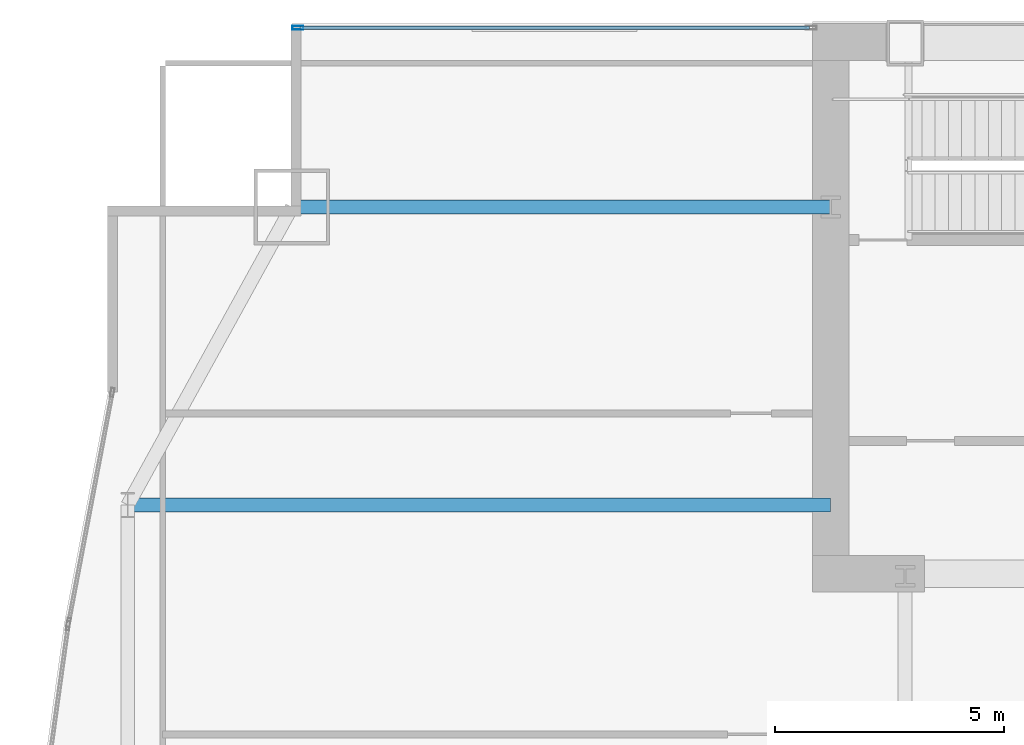
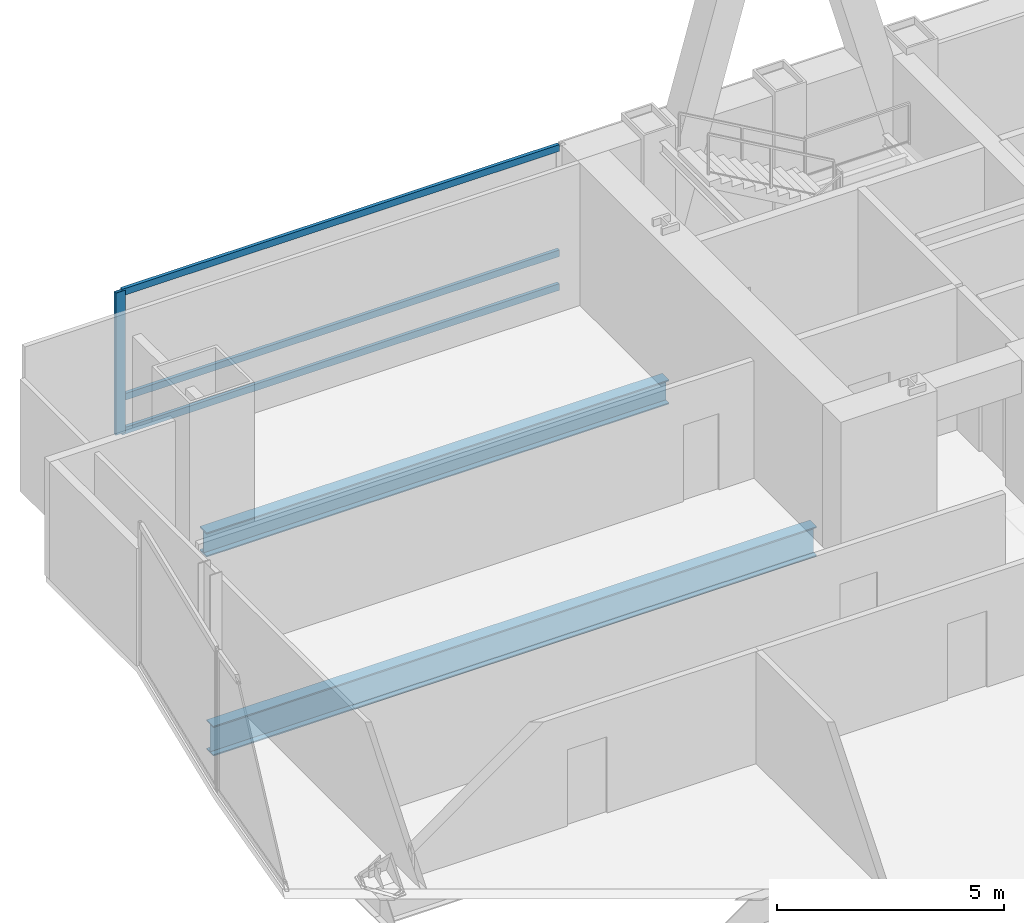
# One storey, part 17 of 37: 4 members, 2 beams, 1 element without a shape of its own.
"""IFC4 building model written with IfcOpenShell, lengths in metres."""

from ifc_helpers import new_model, si_unit, direction, frame, origin, origin_2d, place, context, subcontext, project, spatial, hollow_rectangle, i_section, extrude, material, material_profile, profile_set, type_object, element, aggregate, save


model = new_model("IFC4")

# Units and contexts
model_context = context("Model", 3, precision=1e-05, world=origin(), true_north=direction((0.0, 1.0)))
body_context = subcontext(model_context, "Body", "Model", "MODEL_VIEW")
ifc_project = project(units=[si_unit("LENGTHUNIT", "METRE"), si_unit("AREAUNIT", "SQUARE_METRE"), si_unit("VOLUMEUNIT", "CUBIC_METRE"), si_unit("PLANEANGLEUNIT", "RADIAN"), si_unit("MASSUNIT", "GRAM", prefix="KILO")], contexts=[model_context])

# Site, building, storey
site_placement = place(None, origin())
site = spatial("IfcSite", under=ifc_project, at=site_placement, CompositionType="ELEMENT")
building_placement = place(site_placement, origin())
building = spatial("IfcBuilding", under=site, at=building_placement, Name="Khoronbel Lancet Exchange", CompositionType="ELEMENT")
storey_placement = place(building_placement, frame((0.0, 0.0, 61.800048828125)))
storey = spatial("IfcBuildingStorey", under=building, at=storey_placement, Name="L14", CompositionType="ELEMENT", Elevation=61.800048828125)

# Beams
ifc_material_1 = material(Name="Steel S355", Category="steel")
ifc_material_profile_1 = material_profile(ifc_material_1, i_section(OverallWidth=0.300048828125, OverallDepth=0.800048828125, WebThickness=0.017578125, FlangeThickness=0.032958984375, at=origin_2d()), Name="HEB 800")
ifc_profile_set_1 = profile_set([ifc_material_profile_1], Name="Steel S355")
beam_type_1 = type_object("IfcBeamType", Name="BM-BG2", PredefinedType="BEAM", material=ifc_profile_set_1)
beam_1_placement = place(storey_placement, frame((1.27001953125, 43.199951171875, -0.580078125), z_axis=(1.0, 0.0, 0.0), x_axis=(0.0, 1.0, 0.0)))
element("IfcBeam", 1, at=beam_1_placement, inside=storey, type_object=beam_type_1, Name="Level L14 west lens tie girder LG3W", PredefinedType="BEAM", context=body_context, shape_type="SweptSolid", body=[
    extrude(i_section(OverallWidth=0.300048828125, OverallDepth=0.800048828125, WebThickness=0.017578125, FlangeThickness=0.032958984375, at=origin_2d()), origin(), (0.0, 0.0, 1.0), 15.330078125),
])
ifc_material_profile_2 = material_profile(ifc_material_1, i_section(OverallWidth=0.300048828125, OverallDepth=0.64990234375, WebThickness=0.01611328125, FlangeThickness=0.031005859375, at=origin_2d()), Name="HEB 650")
ifc_profile_set_2 = profile_set([ifc_material_profile_2], Name="Steel S355")
beam_type_2 = type_object("IfcBeamType", Name="BM-BSP1", PredefinedType="SPANDREL", material=ifc_profile_set_2)
beam_2_placement = place(storey_placement, frame((4.85009765625, 49.699951171875, -0.505126953125), z_axis=(1.0, 0.0, 0.0), x_axis=(0.0, 1.0, 0.0)))
element("IfcBeam", 2, at=beam_2_placement, inside=storey, type_object=beam_type_2, Name="Level L14 north flank tie spandrel SP22", PredefinedType="SPANDREL", context=body_context, shape_type="SweptSolid", body=[
    extrude(i_section(OverallWidth=0.300048828125, OverallDepth=0.64990234375, WebThickness=0.01611328125, FlangeThickness=0.031005859375, at=origin_2d()), origin(), (0.0, 0.0, 1.0), 11.75),
])

# Curtain wall, members
ifc_material_2 = material(Name="Low-E Solar Control Insulating Glass", Category="glass")
curtain_wall_type = type_object("IfcCurtainWallType", Name="CW-1", PredefinedType="NOTDEFINED", material=ifc_material_2)
curtain_wall_placement = place(storey_placement, origin())
curtain_wall = element("IfcCurtainWall", 3, at=curtain_wall_placement, inside=storey, type_object=curtain_wall_type, Name="Unitised curtain wall CW-L14-NWFLK", PredefinedType="NOTDEFINED")
ifc_material_3 = material(Name="Bronze-Anodised Aluminium 6063-T6", Category="aluminium")
ifc_material_profile_3 = material_profile(ifc_material_3, hollow_rectangle(XDim=0.0849609375, YDim=0.239990234375, WallThickness=0.006103515625, at=origin_2d()), Name="ALU MULLION 85x240")
ifc_profile_set_3 = profile_set([ifc_material_profile_3], Name="Bronze-Anodised Aluminium 6063-T6")
member_type_1 = type_object("IfcMemberType", Name="MEM-CWM1", PredefinedType="MULLION", material=ifc_profile_set_3)
member_1_placement = place(storey_placement, frame((4.982421875, 53.610107421875, 0.0), z_axis=(0.0, 0.0, 1.0), x_axis=(0.0, -1.0, 0.0)))
member_1 = element("IfcMember", 4, at=member_1_placement, type_object=member_type_1, Name="CW1 mullion 2", PredefinedType="MULLION", context=body_context, shape_type="SweptSolid", body=[
    extrude(hollow_rectangle(XDim=0.0849609375, YDim=0.239990234375, WallThickness=0.006103515625, at=origin_2d()), origin(), (0.0, 0.0, 1.0), 3.820068359375),
])
ifc_material_profile_4 = material_profile(ifc_material_3, hollow_rectangle(XDim=0.0849609375, YDim=0.179931640625, WallThickness=0.0048828125, at=origin_2d()), Name="ALU TRANSOM 85x180")
ifc_profile_set_4 = profile_set([ifc_material_profile_4], Name="Bronze-Anodised Aluminium 6063-T6")
member_type_2 = type_object("IfcMemberType", Name="MEM-CWT1", PredefinedType="USERDEFINED", material=ifc_profile_set_4)
member_2_placement = place(storey_placement, frame((16.135009765625, 53.610107421875, 0.04248046875), z_axis=(-1.0, 0.0, 0.0), x_axis=(0.0, -1.0, 0.0)))
member_2 = element("IfcMember", 5, at=member_2_placement, type_object=member_type_2, Name="CW1 transom 1.1", ObjectType="TRANSOM", PredefinedType="USERDEFINED", context=body_context, shape_type="SweptSolid", body=[
    extrude(hollow_rectangle(XDim=0.0849609375, YDim=0.179931640625, WallThickness=0.0048828125, at=origin_2d()), origin(), (0.0, 0.0, 1.0), 11.110107421875),
])
member_3_placement = place(storey_placement, frame((16.135009765625, 53.610107421875, 0.949951171875), z_axis=(-1.0, 0.0, 0.0), x_axis=(0.0, -1.0, 0.0)))
member_3 = element("IfcMember", 6, at=member_3_placement, type_object=member_type_2, Name="CW1 transom 1.2", ObjectType="TRANSOM", PredefinedType="USERDEFINED", context=body_context, shape_type="SweptSolid", body=[
    extrude(hollow_rectangle(XDim=0.0849609375, YDim=0.179931640625, WallThickness=0.0048828125, at=origin_2d()), origin(), (0.0, 0.0, 1.0), 11.110107421875),
])
member_4_placement = place(storey_placement, frame((16.135009765625, 53.610107421875, 3.77734375), z_axis=(-1.0, 0.0, 0.0), x_axis=(0.0, -1.0, 0.0)))
member_4 = element("IfcMember", 7, at=member_4_placement, type_object=member_type_2, Name="CW1 transom 1.3", ObjectType="TRANSOM", PredefinedType="USERDEFINED", context=body_context, shape_type="SweptSolid", body=[
    extrude(hollow_rectangle(XDim=0.0849609375, YDim=0.179931640625, WallThickness=0.0048828125, at=origin_2d()), origin(), (0.0, 0.0, 1.0), 11.110107421875),
])
aggregate(curtain_wall, [member_1, member_2, member_3, member_4])

save(model, "model.ifc")
